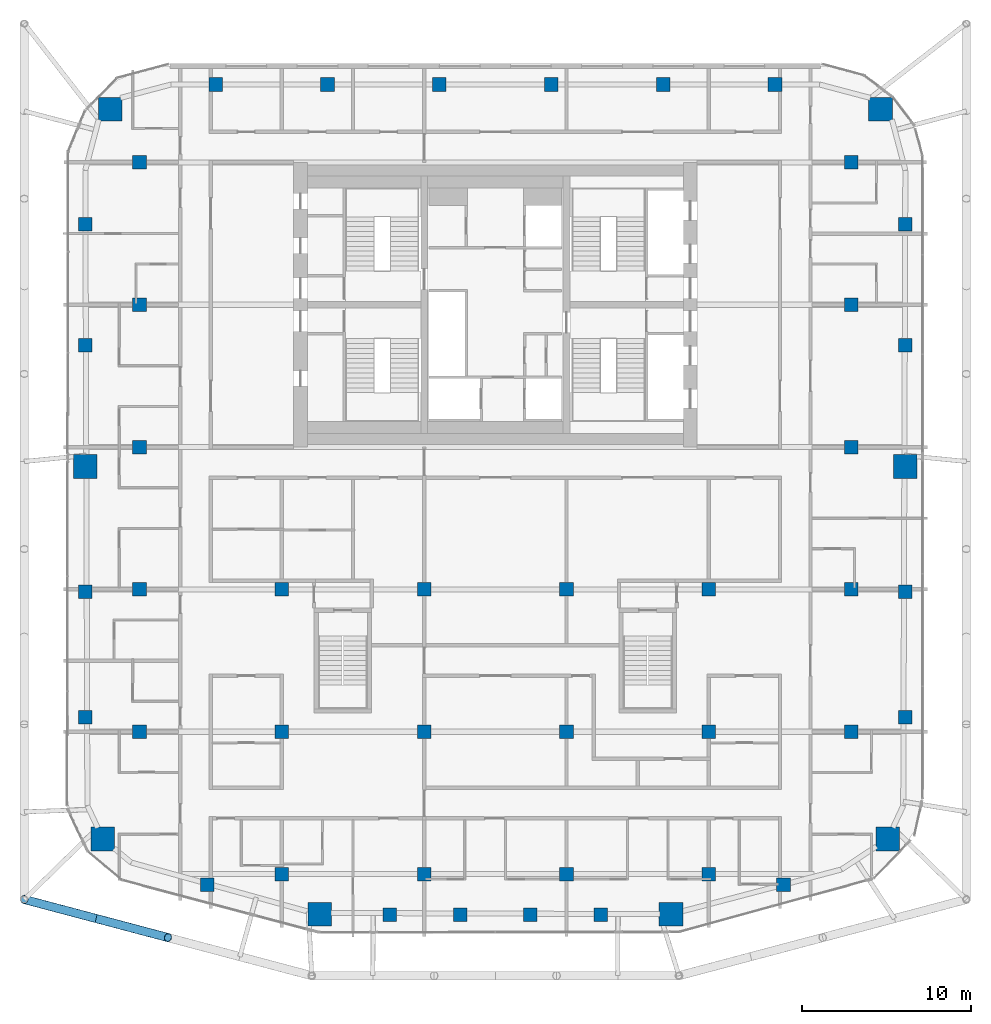
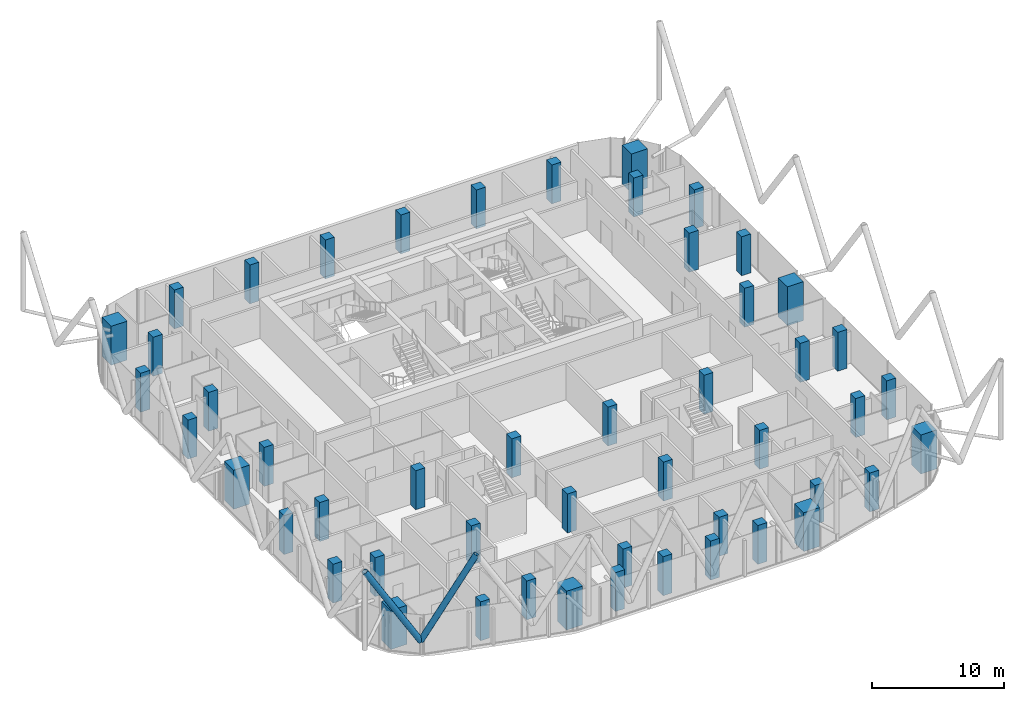
# One storey, part 1 of 31: 50 columns, 2 members.
"""IFC4 building model written with IfcOpenShell, lengths in metres."""

from ifc_helpers import new_model, si_unit, direction, frame, origin, origin_2d, place, context, subcontext, project, spatial, rectangle, hollow_circle, extrude, material, material_profile, profile_set, type_object, element, save


model = new_model("IFC4")

# Units and contexts
model_context = context("Model", 3, precision=1e-05, world=origin(), true_north=direction((0.0, 1.0)))
body_context = subcontext(model_context, "Body", "Model", "MODEL_VIEW")
ifc_project = project(units=[si_unit("LENGTHUNIT", "METRE"), si_unit("AREAUNIT", "SQUARE_METRE"), si_unit("VOLUMEUNIT", "CUBIC_METRE"), si_unit("PLANEANGLEUNIT", "RADIAN"), si_unit("MASSUNIT", "GRAM", prefix="KILO")], contexts=[model_context])

# Site, building, storey
site_placement = place(None, origin())
site = spatial("IfcSite", under=ifc_project, at=site_placement, CompositionType="ELEMENT")
building_placement = place(site_placement, origin())
building = spatial("IfcBuilding", under=site, at=building_placement, Name="Marenta Gate Hotel Tower", CompositionType="ELEMENT")
storey_placement = place(building_placement, frame((0.0, 0.0, 205.699951171875)))
storey = spatial("IfcBuildingStorey", under=building, at=storey_placement, Name="L47", CompositionType="ELEMENT", Elevation=205.699951171875)

# Columns
ifc_material_1 = material(Name="Concrete C60", Category="concrete")
ifc_material_profile_1 = material_profile(ifc_material_1, rectangle(XDim=0.800048828125, YDim=0.800048828125, at=origin_2d()), Name="800 x 800")
ifc_profile_set_1 = profile_set([ifc_material_profile_1], Name="Concrete C60")
column_type_1 = type_object("IfcColumnType", Name="Edge column 800 x 800 C60", PredefinedType="COLUMN", material=ifc_profile_set_1)
for number, where, z_axis, x_axis, name in (
    (1, (-24.199951171875, -15.951904296875, 0.0), (0.0, 0.0, 1.0), (1.0, 0.0, 0.0), "L47-EC-SW-W-1"),
    (2, (-24.199951171875, -8.55078125, 0.0), (0.0, 0.0, 1.0), (1.0, 0.0, 0.0), "L47-EC-SW-W-2"),
    (3, (-24.199951171875, 6.003173828125, 0.0), (0.0, 0.0, 1.0), (1.0, 0.0, 0.0), "L47-EC-W-NW-1"),
    (4, (-24.199951171875, 13.156494140625, 0.0), (0.0, 0.0, 1.0), (1.0, 0.0, 0.0), "L47-EC-W-NW-2"),
    (5, (-16.5068359375, 21.39990234375, 0.0), (0.0, 0.0, 1.0), (1.0, 0.0, 0.0), "L47-EC-NW-NE-1"),
    (6, (-9.904052734375, 21.39990234375, 0.0), (0.0, 0.0, 1.0), (1.0, 0.0, 0.0), "L47-EC-NW-NE-2"),
    (7, (-3.301513671875, 21.39990234375, 0.0), (0.0, 0.0, 1.0), (1.0, 0.0, 0.0), "L47-EC-NW-NE-3"),
    (8, (3.301513671875, 21.39990234375, 0.0), (0.0, 0.0, 1.0), (1.0, 0.0, 0.0), "L47-EC-NW-NE-4"),
    (9, (9.904052734375, 21.39990234375, 0.0), (0.0, 0.0, 1.0), (1.0, 0.0, 0.0), "L47-EC-NW-NE-5"),
    (10, (16.5068359375, 21.39990234375, 0.0), (0.0, 0.0, 1.0), (1.0, 0.0, 0.0), "L47-EC-NW-NE-6"),
    (11, (24.199951171875, 13.156494140625, 0.0), (0.0, 0.0, 1.0), (1.0, 0.0, 0.0), "L47-EC-NE-E-1"),
    (12, (24.199951171875, 6.003173828125, 0.0), (0.0, 0.0, 1.0), (1.0, 0.0, 0.0), "L47-EC-NE-E-2"),
    (13, (24.199951171875, -8.55078125, 0.0), (0.0, 0.0, 1.0), (1.0, 0.0, 0.0), "L47-EC-E-SE-1"),
    (14, (24.199951171875, -15.951904296875, 0.0), (0.0, 0.0, 1.0), (1.0, 0.0, 0.0), "L47-EC-E-SE-2"),
    (15, (17.0068359375, -25.839111328125, 0.0), (0.0, 0.0, 1.0), (1.0, 0.0, 0.0), "L47-EC-SE-SKE-1"),
    (16, (6.22021484375, -27.60009765625, 0.0), (0.0, 0.0, 1.0), (1.0, 0.0, 0.0), "L47-EC-SKE-SKW-1"),
    (17, (2.073486328125, -27.60009765625, 0.0), (0.0, 0.0, 1.0), (1.0, 0.0, 0.0), "L47-EC-SKE-SKW-2"),
    (18, (-2.073486328125, -27.60009765625, 0.0), (0.0, 0.0, 1.0), (1.0, 0.0, 0.0), "L47-EC-SKE-SKW-3"),
    (19, (-6.22021484375, -27.60009765625, 0.0), (0.0, 0.0, 1.0), (1.0, 0.0, 0.0), "L47-EC-SKE-SKW-4"),
    (20, (-17.0068359375, -25.839111328125, 0.0), (0.0, 0.0, 1.0), (1.0, 0.0, 0.0), "L47-EC-SKW-SW-1"),
):
    element("IfcColumn", number, at=place(storey_placement, frame(where, z_axis=z_axis, x_axis=x_axis)), inside=storey, type_object=column_type_1, Name=name, PredefinedType="COLUMN", context=body_context, shape_type="SweptSolid", body=[
        extrude(rectangle(XDim=0.800048828125, YDim=0.800048828125, at=origin_2d()), origin(), (0.0, 0.0, 1.0), 3.60009765625),
    ])
ifc_material_2 = material(Name="Concrete C60", Category="concrete")
ifc_material_profile_2 = material_profile(ifc_material_2, rectangle(XDim=0.800048828125, YDim=0.800048828125, at=origin_2d()), Name="800 x 800")
ifc_profile_set_2 = profile_set([ifc_material_profile_2], Name="Concrete C60")
column_type_2 = type_object("IfcColumnType", Name="Interior column 800 x 800 C60", PredefinedType="COLUMN", material=ifc_profile_set_2)
for number, where, z_axis, x_axis, name in (
    (21, (-21.0, -16.800048828125, 0.0), (0.0, 0.0, 1.0), (1.0, 0.0, 0.0), "L47-IC-4D"),
    (22, (-21.0, -8.39990234375, 0.0), (0.0, 0.0, 1.0), (1.0, 0.0, 0.0), "L47-IC-4E"),
    (23, (-21.0, 0.0, 0.0), (0.0, 0.0, 1.0), (1.0, 0.0, 0.0), "L47-IC-4F"),
    (24, (-21.0, 8.39990234375, 0.0), (0.0, 0.0, 1.0), (1.0, 0.0, 0.0), "L47-IC-4G"),
    (25, (-21.0, 16.800048828125, 0.0), (0.0, 0.0, 1.0), (1.0, 0.0, 0.0), "L47-IC-4H"),
    (26, (-12.60009765625, -25.199951171875, 0.0), (0.0, 0.0, 1.0), (1.0, 0.0, 0.0), "L47-IC-5C"),
    (27, (-12.60009765625, -16.800048828125, 0.0), (0.0, 0.0, 1.0), (1.0, 0.0, 0.0), "L47-IC-5D"),
    (28, (-12.60009765625, -8.39990234375, 0.0), (0.0, 0.0, 1.0), (1.0, 0.0, 0.0), "L47-IC-5E"),
    (29, (-4.199951171875, -25.199951171875, 0.0), (0.0, 0.0, 1.0), (1.0, 0.0, 0.0), "L47-IC-6C"),
    (30, (-4.199951171875, -16.800048828125, 0.0), (0.0, 0.0, 1.0), (1.0, 0.0, 0.0), "L47-IC-6D"),
    (31, (-4.199951171875, -8.39990234375, 0.0), (0.0, 0.0, 1.0), (1.0, 0.0, 0.0), "L47-IC-6E"),
    (32, (4.199951171875, -25.199951171875, 0.0), (0.0, 0.0, 1.0), (1.0, 0.0, 0.0), "L47-IC-7C"),
    (33, (4.199951171875, -16.800048828125, 0.0), (0.0, 0.0, 1.0), (1.0, 0.0, 0.0), "L47-IC-7D"),
    (34, (4.199951171875, -8.39990234375, 0.0), (0.0, 0.0, 1.0), (1.0, 0.0, 0.0), "L47-IC-7E"),
    (35, (12.60009765625, -25.199951171875, 0.0), (0.0, 0.0, 1.0), (1.0, 0.0, 0.0), "L47-IC-8C"),
    (36, (12.60009765625, -16.800048828125, 0.0), (0.0, 0.0, 1.0), (1.0, 0.0, 0.0), "L47-IC-8D"),
    (37, (12.60009765625, -8.39990234375, 0.0), (0.0, 0.0, 1.0), (1.0, 0.0, 0.0), "L47-IC-8E"),
    (38, (21.0, -16.800048828125, 0.0), (0.0, 0.0, 1.0), (1.0, 0.0, 0.0), "L47-IC-9D"),
    (39, (21.0, -8.39990234375, 0.0), (0.0, 0.0, 1.0), (1.0, 0.0, 0.0), "L47-IC-9E"),
    (40, (21.0, 0.0, 0.0), (0.0, 0.0, 1.0), (1.0, 0.0, 0.0), "L47-IC-9F"),
    (41, (21.0, 8.39990234375, 0.0), (0.0, 0.0, 1.0), (1.0, 0.0, 0.0), "L47-IC-9G"),
    (42, (21.0, 16.800048828125, 0.0), (0.0, 0.0, 1.0), (1.0, 0.0, 0.0), "L47-IC-9H"),
):
    element("IfcColumn", number, at=place(storey_placement, frame(where, z_axis=z_axis, x_axis=x_axis)), inside=storey, type_object=column_type_2, Name=name, PredefinedType="COLUMN", context=body_context, shape_type="SweptSolid", body=[
        extrude(rectangle(XDim=0.800048828125, YDim=0.800048828125, at=origin_2d()), origin(), (0.0, 0.0, 1.0), 3.60009765625),
    ])
ifc_material_3 = material(Name="Concrete C60", Category="concrete")
ifc_material_profile_3 = material_profile(ifc_material_3, rectangle(XDim=1.39990234375, YDim=1.39990234375, at=origin_2d()), Name="1400 x 1400")
ifc_profile_set_3 = profile_set([ifc_material_profile_3], Name="Concrete C60")
column_type_3 = type_object("IfcColumnType", Name="Mega column 1400 x 1400 C60", PredefinedType="COLUMN", material=ifc_profile_set_3)
for number, where, z_axis, x_axis, name in (
    (43, (-23.1630859375, -23.133056640625, 0.0), (0.0, 0.0, 1.0), (1.0, 0.0, 0.0), "L47-MC-SW"),
    (44, (-10.3662109375, -27.57470703125, 0.0), (0.0, 0.0, 1.0), (1.0, 0.0, 0.0), "L47-MC-SKW"),
    (45, (10.3662109375, -27.57470703125, 0.0), (0.0, 0.0, 1.0), (1.0, 0.0, 0.0), "L47-MC-SKE"),
    (46, (23.1630859375, -23.133056640625, 0.0), (0.0, 0.0, 1.0), (1.0, 0.0, 0.0), "L47-MC-SE"),
    (47, (24.199951171875, -1.14990234375, 0.0), (0.0, 0.0, 1.0), (1.0, 0.0, 0.0), "L47-MC-E"),
    (48, (22.735595703125, 19.935546875, 0.0), (0.0, 0.0, 1.0), (1.0, 0.0, 0.0), "L47-MC-NE"),
    (49, (-22.735595703125, 19.935546875, 0.0), (0.0, 0.0, 1.0), (1.0, 0.0, 0.0), "L47-MC-NW"),
    (50, (-24.199951171875, -1.14990234375, 0.0), (0.0, 0.0, 1.0), (1.0, 0.0, 0.0), "L47-MC-W"),
):
    element("IfcColumn", number, at=place(storey_placement, frame(where, z_axis=z_axis, x_axis=x_axis)), inside=storey, type_object=column_type_3, Name=name, PredefinedType="COLUMN", context=body_context, shape_type="SweptSolid", body=[
        extrude(rectangle(XDim=1.39990234375, YDim=1.39990234375, at=origin_2d()), origin(), (0.0, 0.0, 1.0), 3.60009765625),
    ])

# Members
ifc_material_4 = material(Name="Steel S355J2W", Category="steel")
ifc_material_profile_4 = material_profile(ifc_material_4, hollow_circle(Radius=0.25390625, WallThickness=0.02490234375, at=origin_2d()), Name="CHS 508x25")
ifc_profile_set_4 = profile_set([ifc_material_profile_4], Name="Steel S355J2W")
member_type = type_object("IfcMemberType", Name="Diagrid diagonal Z3 CHS 508x25", PredefinedType="BRACE", material=ifc_profile_set_4)
for number, where, z_axis, x_axis, name in (
    (51, (-23.559814453125, -27.8251953125, 3.14013671875), (0.502924018666, -0.133433548941, 0.853968921838), (0.256443187528, 0.96655930577, 0.0), "L47-DG-23"),
    (52, (-23.559814453125, -27.8251953125, 3.14013671875), (-0.502924018666, 0.133433548941, 0.853968921838), (-0.256443187528, -0.96655930577, 0.0), "L47-DG-24"),
):
    element("IfcMember", number, at=place(storey_placement, frame(where, z_axis=z_axis, x_axis=x_axis)), inside=storey, type_object=member_type, Name=name, PredefinedType="BRACE", context=body_context, shape_type="SweptSolid", body=[
        extrude(hollow_circle(Radius=0.25390625, WallThickness=0.02490234375, at=origin_2d()), origin(), (0.0, 0.0, 1.0), 8.43115234375),
    ])

save(model, "model.ifc")
